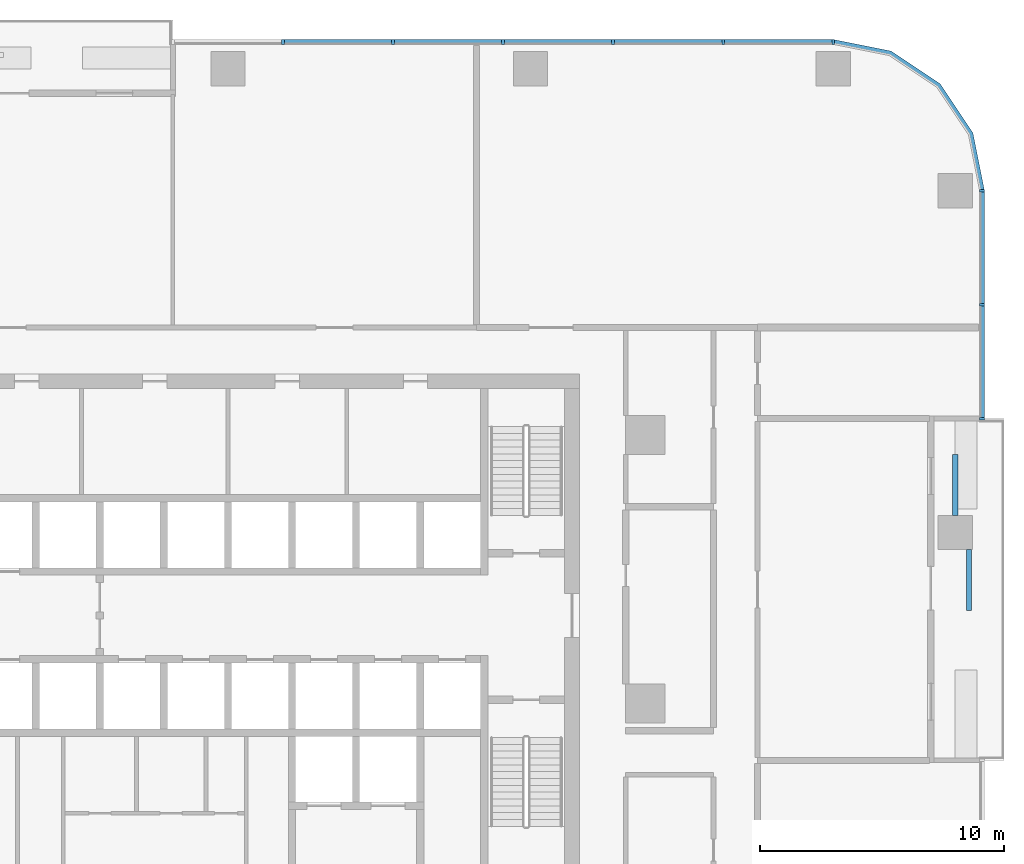
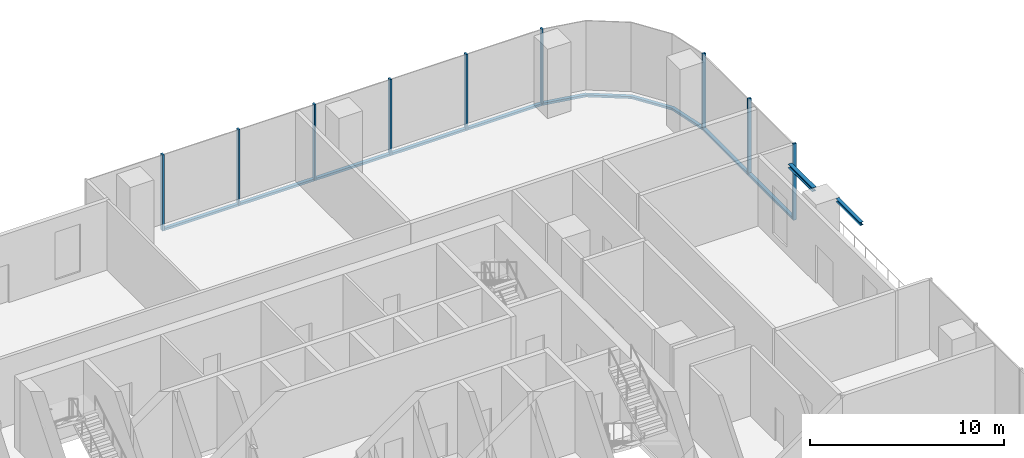
# One storey, part 5 of 15: 17 members, 2 beams, 3 elements without a shape of their own.
"""IFC4 building model written with IfcOpenShell, lengths in metres."""

from ifc_helpers import new_model, si_unit, direction, frame, origin, origin_2d, place, context, subcontext, project, spatial, polyline, rectangle, i_section, outline, extrude, material, material_profile, profile_set, type_object, element, aggregate, save


model = new_model("IFC4")

# Units and contexts
model_context = context("Model", 3, precision=1e-05, world=origin(), true_north=direction((0.0, 1.0)))
body_context = subcontext(model_context, "Body", "Model", "MODEL_VIEW")
ifc_project = project(units=[si_unit("LENGTHUNIT", "METRE"), si_unit("AREAUNIT", "SQUARE_METRE"), si_unit("VOLUMEUNIT", "CUBIC_METRE"), si_unit("PLANEANGLEUNIT", "RADIAN"), si_unit("MASSUNIT", "GRAM", prefix="KILO")], contexts=[model_context])

# Site, building, storey
site_placement = place(None, origin())
site = spatial("IfcSite", under=ifc_project, at=site_placement, CompositionType="ELEMENT")
building_placement = place(site_placement, origin())
building = spatial("IfcBuilding", under=site, at=building_placement, Name="Mopane Tessera Tower", CompositionType="ELEMENT")
storey_placement = place(building_placement, frame((0.0, 0.0, 64.60009765625)))
storey = spatial("IfcBuildingStorey", under=building, at=storey_placement, Name="L12", CompositionType="ELEMENT", Elevation=64.60009765625)

# Curtain wall, members
ifc_material_1 = material(Name="Aluminium frame", Category="aluminium")
curtain_wall_type = type_object("IfcCurtainWallType", Name="Lower tower unitised wall", PredefinedType="NOTDEFINED", material=ifc_material_1)
curtain_wall_1_placement = place(storey_placement, origin())
curtain_wall_1 = element("IfcCurtainWall", 1, at=curtain_wall_1_placement, inside=storey, type_object=curtain_wall_type, Name="e:cw:L12:E:7", PredefinedType="NOTDEFINED")
ifc_material_2 = material(Name="Aluminium frame", Category="aluminium")
ifc_material_profile_1 = material_profile(ifc_material_2, rectangle(XDim=0.110107421875, YDim=0.199951171875, at=origin_2d()))
ifc_profile_set_1 = profile_set([ifc_material_profile_1], Name="Aluminium frame")
member_type_1 = type_object("IfcMemberType", Name="Aluminium mullion 110 x 200", PredefinedType="MULLION", material=ifc_profile_set_1)
member_1_placement = place(storey_placement, frame((30.89990234375, 11.666748046875, -0.4501953125), z_axis=(0.0, 0.0, 1.0), x_axis=(0.0, 1.0, 0.0)))
member_1 = element("IfcMember", 2, at=member_1_placement, type_object=member_type_1, Name="e:cw:L12:E:7:mu7", PredefinedType="MULLION", context=body_context, shape_type="SweptSolid", body=[
    extrude(rectangle(XDim=0.110107421875, YDim=0.199951171875, at=origin_2d()), origin(), (0.0, 0.0, 1.0), 4.800048828125),
])
member_2_placement = place(storey_placement, frame((30.89990234375, 16.333251953125, -0.4501953125), z_axis=(0.0, 0.0, 1.0), x_axis=(0.0, 1.0, 0.0)))
member_2 = element("IfcMember", 3, at=member_2_placement, type_object=member_type_1, Name="e:cw:L12:E:7:mu8", PredefinedType="MULLION", context=body_context, shape_type="SweptSolid", body=[
    extrude(rectangle(XDim=0.110107421875, YDim=0.199951171875, at=origin_2d()), origin(), (0.0, 0.0, 1.0), 4.800048828125),
])
member_3_placement = place(storey_placement, frame((30.89990234375, 21.0, -0.4501953125), z_axis=(0.0, 0.0, 1.0), x_axis=(0.0, 1.0, 0.0)))
member_3 = element("IfcMember", 4, at=member_3_placement, type_object=member_type_1, Name="e:cw:L12:E:7:mu9", PredefinedType="MULLION", context=body_context, shape_type="SweptSolid", body=[
    extrude(rectangle(XDim=0.110107421875, YDim=0.199951171875, at=origin_2d()), origin(), (0.0, 0.0, 1.0), 4.800048828125),
])

curtain_wall_2_placement = place(storey_placement, origin())
curtain_wall_2 = element("IfcCurtainWall", 5, at=curtain_wall_2_placement, inside=storey, type_object=curtain_wall_type, Name="e:cw:L12:N:0", PredefinedType="NOTDEFINED")
member_4_placement = place(storey_placement, frame((24.800048828125, 27.10009765625, -0.4501953125), z_axis=(0.0, 0.0, 1.0), x_axis=(-1.0, 0.0, 0.0)))
member_4 = element("IfcMember", 6, at=member_4_placement, type_object=member_type_1, Name="e:cw:L12:N:0:mu0", PredefinedType="MULLION", context=body_context, shape_type="SweptSolid", body=[
    extrude(rectangle(XDim=0.110107421875, YDim=0.199951171875, at=origin_2d()), origin(), (0.0, 0.0, 1.0), 4.800048828125),
])
member_5_placement = place(storey_placement, frame((20.291015625, 27.10009765625, -0.4501953125), z_axis=(0.0, 0.0, 1.0), x_axis=(-1.0, 0.0, 0.0)))
member_5 = element("IfcMember", 7, at=member_5_placement, type_object=member_type_1, Name="e:cw:L12:N:0:mu1", PredefinedType="MULLION", context=body_context, shape_type="SweptSolid", body=[
    extrude(rectangle(XDim=0.110107421875, YDim=0.199951171875, at=origin_2d()), origin(), (0.0, 0.0, 1.0), 4.800048828125),
])
member_6_placement = place(storey_placement, frame((15.78173828125, 27.10009765625, -0.4501953125), z_axis=(0.0, 0.0, 1.0), x_axis=(-1.0, 0.0, 0.0)))
member_6 = element("IfcMember", 8, at=member_6_placement, type_object=member_type_1, Name="e:cw:L12:N:0:mu2", PredefinedType="MULLION", context=body_context, shape_type="SweptSolid", body=[
    extrude(rectangle(XDim=0.110107421875, YDim=0.199951171875, at=origin_2d()), origin(), (0.0, 0.0, 1.0), 4.800048828125),
])
member_7_placement = place(storey_placement, frame((11.272705078125, 27.10009765625, -0.4501953125), z_axis=(0.0, 0.0, 1.0), x_axis=(-1.0, 0.0, 0.0)))
member_7 = element("IfcMember", 9, at=member_7_placement, type_object=member_type_1, Name="e:cw:L12:N:0:mu3", PredefinedType="MULLION", context=body_context, shape_type="SweptSolid", body=[
    extrude(rectangle(XDim=0.110107421875, YDim=0.199951171875, at=origin_2d()), origin(), (0.0, 0.0, 1.0), 4.800048828125),
])
member_8_placement = place(storey_placement, frame((6.763671875, 27.10009765625, -0.4501953125), z_axis=(0.0, 0.0, 1.0), x_axis=(-1.0, 0.0, 0.0)))
member_8 = element("IfcMember", 10, at=member_8_placement, type_object=member_type_1, Name="e:cw:L12:N:0:mu4", PredefinedType="MULLION", context=body_context, shape_type="SweptSolid", body=[
    extrude(rectangle(XDim=0.110107421875, YDim=0.199951171875, at=origin_2d()), origin(), (0.0, 0.0, 1.0), 4.800048828125),
])
member_9_placement = place(storey_placement, frame((2.254638671875, 27.10009765625, -0.4501953125), z_axis=(0.0, 0.0, 1.0), x_axis=(-1.0, 0.0, 0.0)))
member_9 = element("IfcMember", 11, at=member_9_placement, type_object=member_type_1, Name="e:cw:L12:N:0:mu5", PredefinedType="MULLION", context=body_context, shape_type="SweptSolid", body=[
    extrude(rectangle(XDim=0.110107421875, YDim=0.199951171875, at=origin_2d()), origin(), (0.0, 0.0, 1.0), 4.800048828125),
])

# Member
ifc_material_3 = material(Name="Aluminium frame", Category="aluminium")
ifc_material_profile_2 = material_profile(ifc_material_3, rectangle(XDim=0.199951171875, YDim=0.139892578125, at=origin_2d()))
ifc_profile_set_2 = profile_set([ifc_material_profile_2], Name="Aluminium frame")
member_type_2 = type_object("IfcMemberType", Name="Aluminium transom 200 x 140", PredefinedType="USERDEFINED", material=ifc_profile_set_2)
member_10_placement = place(storey_placement, frame((30.89990234375, 11.7216796875, -0.380126953125), z_axis=(0.0, 1.0, 0.0), x_axis=(-1.0, 0.0, 0.0)))
member_10 = element("IfcMember", 12, at=member_10_placement, type_object=member_type_2, Name="e:cw:L12:E:7:tr7", ObjectType="TRANSOM", PredefinedType="USERDEFINED", context=body_context, shape_type="SweptSolid", body=[
    extrude(rectangle(XDim=0.199951171875, YDim=0.139892578125, at=origin_2d()), origin(), (0.0, 0.0, 1.0), 4.556640625),
])

member_11_placement = place(storey_placement, frame((30.89990234375, 16.388427734375, -0.380126953125), z_axis=(0.0, 1.0, 0.0), x_axis=(-1.0, 0.0, 0.0)))
member_11 = element("IfcMember", 13, at=member_11_placement, type_object=member_type_2, Name="e:cw:L12:E:7:tr8", ObjectType="TRANSOM", PredefinedType="USERDEFINED", context=body_context, shape_type="SweptSolid", body=[
    extrude(rectangle(XDim=0.199951171875, YDim=0.139892578125, at=origin_2d()), origin(), (0.0, 0.0, 1.0), 4.556640625),
])

aggregate(curtain_wall_1, [member_1, member_2, member_3, member_10, member_11])

# Curtain wall, member
curtain_wall_3_placement = place(storey_placement, origin())
curtain_wall_3 = element("IfcCurtainWall", 14, at=curtain_wall_3_placement, inside=storey, type_object=curtain_wall_type, Name="e:cw:L12:CE", PredefinedType="NOTDEFINED")
member_12_placement = place(storey_placement, frame((0.0, 0.0, -0.4501953125)))
member_12 = element("IfcMember", 15, at=member_12_placement, type_object=member_type_2, Name="e:cw:L12:CE:tr", ObjectType="TRANSOM", PredefinedType="USERDEFINED", context=body_context, shape_type="SweptSolid", body=[
    extrude(outline(polyline([(30.800048828125, 21.0), (30.34326171875, 23.296142578125), (29.042724609375, 25.24267578125), (27.09619140625, 26.543212890625), (24.800048828125, 27.0), (24.800048828125, 27.199951171875), (27.172607421875, 26.72802734375), (29.18408203125, 25.384033203125), (30.528076171875, 23.37255859375), (31.0, 21.0), (30.800048828125, 21.0)])), origin(), (0.0, 0.0, 1.0), 0.14013671875),
])
aggregate(curtain_wall_3, [member_12])

# Member
member_13_placement = place(storey_placement, frame((24.7451171875, 27.10009765625, -0.380126953125), z_axis=(-1.0, 0.0, 0.0), x_axis=(0.0, -1.0, 0.0)))
member_13 = element("IfcMember", 16, at=member_13_placement, type_object=member_type_2, Name="e:cw:L12:N:0:tr0", ObjectType="TRANSOM", PredefinedType="USERDEFINED", context=body_context, shape_type="SweptSolid", body=[
    extrude(rectangle(XDim=0.199951171875, YDim=0.139892578125, at=origin_2d()), origin(), (0.0, 0.0, 1.0), 4.399169921875),
])

member_14_placement = place(storey_placement, frame((20.23583984375, 27.10009765625, -0.380126953125), z_axis=(-1.0, 0.0, 0.0), x_axis=(0.0, -1.0, 0.0)))
member_14 = element("IfcMember", 17, at=member_14_placement, type_object=member_type_2, Name="e:cw:L12:N:0:tr1", ObjectType="TRANSOM", PredefinedType="USERDEFINED", context=body_context, shape_type="SweptSolid", body=[
    extrude(rectangle(XDim=0.199951171875, YDim=0.139892578125, at=origin_2d()), origin(), (0.0, 0.0, 1.0), 4.39892578125),
])

member_15_placement = place(storey_placement, frame((15.726806640625, 27.10009765625, -0.380126953125), z_axis=(-1.0, 0.0, 0.0), x_axis=(0.0, -1.0, 0.0)))
member_15 = element("IfcMember", 18, at=member_15_placement, type_object=member_type_2, Name="e:cw:L12:N:0:tr2", ObjectType="TRANSOM", PredefinedType="USERDEFINED", context=body_context, shape_type="SweptSolid", body=[
    extrude(rectangle(XDim=0.199951171875, YDim=0.139892578125, at=origin_2d()), origin(), (0.0, 0.0, 1.0), 4.399169921875),
])

member_16_placement = place(storey_placement, frame((11.2177734375, 27.10009765625, -0.380126953125), z_axis=(-1.0, 0.0, 0.0), x_axis=(0.0, -1.0, 0.0)))
member_16 = element("IfcMember", 19, at=member_16_placement, type_object=member_type_2, Name="e:cw:L12:N:0:tr3", ObjectType="TRANSOM", PredefinedType="USERDEFINED", context=body_context, shape_type="SweptSolid", body=[
    extrude(rectangle(XDim=0.199951171875, YDim=0.139892578125, at=origin_2d()), origin(), (0.0, 0.0, 1.0), 4.399169921875),
])

member_17_placement = place(storey_placement, frame((6.708740234375, 27.10009765625, -0.380126953125), z_axis=(-1.0, 0.0, 0.0), x_axis=(0.0, -1.0, 0.0)))
member_17 = element("IfcMember", 20, at=member_17_placement, type_object=member_type_2, Name="e:cw:L12:N:0:tr4", ObjectType="TRANSOM", PredefinedType="USERDEFINED", context=body_context, shape_type="SweptSolid", body=[
    extrude(rectangle(XDim=0.199951171875, YDim=0.139892578125, at=origin_2d()), origin(), (0.0, 0.0, 1.0), 4.399169921875),
])

aggregate(curtain_wall_2, [member_4, member_5, member_6, member_7, member_8, member_9, member_13, member_14, member_15, member_16, member_17])

# Beams
ifc_material_4 = material(Name="Structural steel S460", Category="steel")
ifc_material_profile_3 = material_profile(ifc_material_4, i_section(OverallWidth=0.239990234375, OverallDepth=0.239990234375, WebThickness=0.010009765625, FlangeThickness=0.01708984375, FilletRadius=0.02099609375, at=origin_2d()))
ifc_profile_set_3 = profile_set([ifc_material_profile_3], Name="Structural steel S460")
beam_type_1 = type_object("IfcBeamType", Name="Terrace spandrel beam HE 240 B", PredefinedType="SPANDREL", material=ifc_profile_set_3)
beam_1_placement = place(storey_placement, frame((29.800048828125, 7.702880859375, 4.22998046875), z_axis=(0.0, 1.0, 0.0), x_axis=(-1.0, 0.0, 0.0)))
element("IfcBeam", 21, at=beam_1_placement, inside=storey, type_object=beam_type_1, Name="Terrace spandrel beam N1 L13", PredefinedType="SPANDREL", context=body_context, shape_type="SweptSolid", body=[
    extrude(i_section(OverallWidth=0.239990234375, OverallDepth=0.239990234375, WebThickness=0.010009765625, FlangeThickness=0.01708984375, FilletRadius=0.02099609375, at=origin_2d()), origin(), (0.0, 0.0, 1.0), 2.5),
])
ifc_material_5 = material(Name="Structural steel S460", Category="steel")
ifc_material_profile_4 = material_profile(ifc_material_5, i_section(OverallWidth=0.199951171875, OverallDepth=0.199951171875, WebThickness=0.009033203125, FlangeThickness=0.014892578125, FilletRadius=0.01806640625, at=origin_2d()))
ifc_profile_set_4 = profile_set([ifc_material_profile_4], Name="Structural steel S460")
beam_type_2 = type_object("IfcBeamType", Name="Terrace trimmer beam HE 200 B", PredefinedType="BEAM", material=ifc_profile_set_4)
beam_2_placement = place(storey_placement, frame((30.360107421875, 6.297119140625, 4.25), z_axis=(0.0, -1.0, 0.0), x_axis=(1.0, 0.0, 0.0)))
element("IfcBeam", 22, at=beam_2_placement, inside=storey, type_object=beam_type_2, Name="Terrace trimmer beam N1 L13", PredefinedType="BEAM", context=body_context, shape_type="SweptSolid", body=[
    extrude(i_section(OverallWidth=0.199951171875, OverallDepth=0.199951171875, WebThickness=0.009033203125, FlangeThickness=0.014892578125, FilletRadius=0.01806640625, at=origin_2d()), origin(), (0.0, 0.0, 1.0), 2.5),
])

save(model, "model.ifc")
